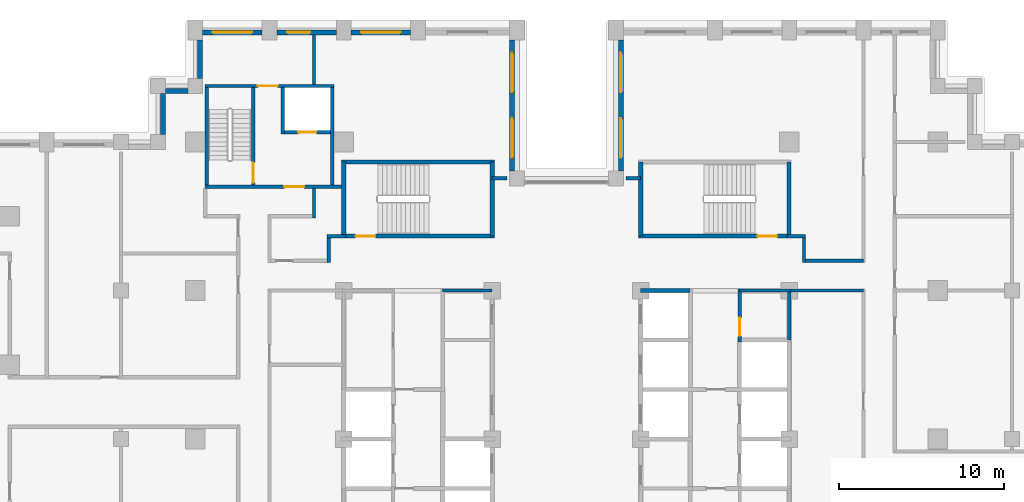
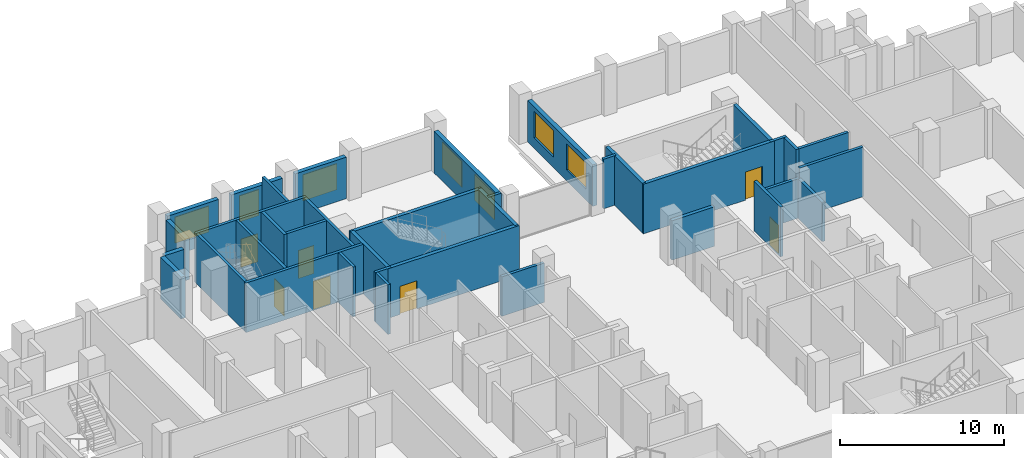
# One storey, part 10 of 15: 37 walls, 7 doors, 7 windows, 14 openings.
"""IFC4 building model written with IfcOpenShell, lengths in metres."""

from ifc_helpers import new_model, si_unit, direction, frame, frame_2d, origin, place, context, subcontext, project, spatial, rectangle, extrude, material, layer, layer_set, type_object, element, fill, save


model = new_model("IFC4")

# Units and contexts
model_context = context("Model", 3, precision=1e-05, world=origin(), true_north=direction((0.0, 1.0)))
body_context = subcontext(model_context, "Body", "Model", "MODEL_VIEW")
ifc_project = project(units=[si_unit("LENGTHUNIT", "METRE"), si_unit("AREAUNIT", "SQUARE_METRE"), si_unit("VOLUMEUNIT", "CUBIC_METRE"), si_unit("PLANEANGLEUNIT", "RADIAN"), si_unit("MASSUNIT", "GRAM", prefix="KILO")], contexts=[model_context])

# Site, building, storey
site_placement = place(None, origin())
site = spatial("IfcSite", under=ifc_project, at=site_placement, CompositionType="ELEMENT")
building_placement = place(site_placement, origin())
building = spatial("IfcBuilding", under=site, at=building_placement, Name="Corbelhall Arena Tower", CompositionType="ELEMENT")
storey_placement = place(building_placement, frame((0.0, 0.0, 96.0)))
storey = spatial("IfcBuildingStorey", under=building, at=storey_placement, Name="L16", CompositionType="ELEMENT", Elevation=96.0)

# Walls
ifc_material_1 = material(Name="Precast concrete C40/50 with granite facing", Category="masonry")
ifc_layer_1 = layer(ifc_material_1, 0.300048828125)
ifc_layer_set_1 = layer_set([ifc_layer_1], Name="EV-IW1 Infill panel 300")
wall_type_1 = type_object("IfcWallType", Name="EV-IW1 Infill panel 300", PredefinedType="SOLIDWALL", material=ifc_layer_set_1)
wall_1_placement = place(storey_placement, frame((-22.199951171875, 24.199951171875, 0.0), z_axis=(0.0, 0.0, 1.0), x_axis=(0.0, -1.0, 0.0)))
element("IfcWall", 1, at=wall_1_placement, inside=storey, type_object=wall_type_1, Name="Infill panel IW1", PredefinedType="SOLIDWALL", context=body_context, shape_type="SweptSolid", body=[
    extrude(rectangle(XDim=2.349853515625, YDim=0.300048828125, at=frame_2d((1.1748046875, 0.0))), origin(), (0.0, 0.0, 1.0), 3.10009765625),
])
wall_2_placement = place(storey_placement, frame((-22.949951171875, 21.10009765625, 0.0), z_axis=(0.0, 0.0, 1.0), x_axis=(-1.0, 0.0, 0.0)))
element("IfcWall", 2, at=wall_2_placement, inside=storey, type_object=wall_type_1, Name="Infill panel IW1", PredefinedType="SOLIDWALL", context=body_context, shape_type="SweptSolid", body=[
    extrude(rectangle(XDim=1.35009765625, YDim=0.300048828125, at=frame_2d((0.675048828125, 0.0))), origin(), (0.0, 0.0, 1.0), 3.10009765625),
])
wall_3_placement = place(storey_placement, frame((-24.449951171875, 20.949951171875, 0.0), z_axis=(0.0, 0.0, 1.0), x_axis=(0.0, -1.0, 0.0)))
element("IfcWall", 3, at=wall_3_placement, inside=storey, type_object=wall_type_1, Name="Infill panel IW1", PredefinedType="SOLIDWALL", context=body_context, shape_type="SweptSolid", body=[
    extrude(rectangle(XDim=2.5, YDim=0.300048828125, at=frame_2d((1.25, 0.0))), origin(), (0.0, 0.0, 1.0), 3.10009765625),
])

# Wall, openings, windows
wall_4_placement = place(storey_placement, frame((3.300048828125, 24.199951171875, 0.0), z_axis=(0.0, 0.0, 1.0), x_axis=(0.0, -1.0, 0.0)))
wall_4 = element("IfcWall", 4, at=wall_4_placement, inside=storey, type_object=wall_type_1, Name="Infill panel IW1", PredefinedType="SOLIDWALL", context=body_context, shape_type="SweptSolid", body=[
    extrude(rectangle(XDim=7.949951171875, YDim=0.300048828125, at=frame_2d((3.97509765625, 0.0))), origin(), (0.0, 0.0, 1.0), 3.10009765625),
])
opening_1_placement = place(wall_4_placement, frame((0.78759765625, 0.0, 0.800048828125)))
opening_1 = element("IfcOpeningElement", 5, at=opening_1_placement, cuts=wall_4, Name="Opening WN1", PredefinedType="OPENING", context=body_context, shape_type="SweptSolid", body=[
    extrude(rectangle(XDim=2.39990234375, YDim=1.949951171875, at=frame_2d((1.199951171875, 0.97509765625))), frame((0.0, 0.14990234375, 0.0), z_axis=(0.0, -1.0, 0.0), x_axis=(1.0, 0.0, 0.0)), (0.0, 0.0, 1.0), 0.300048828125),
])
opening_2_placement = place(wall_4_placement, frame((4.762451171875, 0.0, 0.800048828125)))
opening_2 = element("IfcOpeningElement", 6, at=opening_2_placement, cuts=wall_4, Name="Opening WN1", PredefinedType="OPENING", context=body_context, shape_type="SweptSolid", body=[
    extrude(rectangle(XDim=2.39990234375, YDim=1.949951171875, at=frame_2d((1.199951171875, 0.97509765625))), frame((0.0, 0.14990234375, 0.0), z_axis=(0.0, -1.0, 0.0), x_axis=(1.0, 0.0, 0.0)), (0.0, 0.0, 1.0), 0.300048828125),
])
ifc_material_2 = material(Name="Aluminium black anodised", Category="aluminium")
window_type_1 = type_object("IfcWindowType", Name="EV-WN1 Office window", PartitioningType="SINGLE_PANEL", PredefinedType="WINDOW", material=ifc_material_2)
window_1_placement = place(opening_1_placement, origin())
window_1 = element("IfcWindow", 7, at=window_1_placement, inside=storey, type_object=window_type_1, Name="Window WN1", OverallHeight=1.949951171875, OverallWidth=2.39990234375, PartitioningType="SINGLE_PANEL", PredefinedType="WINDOW", context=body_context, shape_type="SweptSolid", body=[
    extrude(rectangle(XDim=2.39990234375, YDim=1.949951171875, at=frame_2d((1.199951171875, 0.97509765625))), frame((0.0, 0.030029296875, 0.0), z_axis=(0.0, -1.0, 0.0), x_axis=(1.0, 0.0, 0.0)), (0.0, 0.0, 1.0), 0.06005859375),
])
fill(opening_1, window_1)
window_2_placement = place(opening_2_placement, origin())
window_2 = element("IfcWindow", 8, at=window_2_placement, inside=storey, type_object=window_type_1, Name="Window WN1", OverallHeight=1.949951171875, OverallWidth=2.39990234375, PartitioningType="SINGLE_PANEL", PredefinedType="WINDOW", context=body_context, shape_type="SweptSolid", body=[
    extrude(rectangle(XDim=2.39990234375, YDim=1.949951171875, at=frame_2d((1.199951171875, 0.97509765625))), frame((0.0, 0.030029296875, 0.0), z_axis=(0.0, -1.0, 0.0), x_axis=(1.0, 0.0, 0.0)), (0.0, 0.0, 1.0), 0.06005859375),
])
fill(opening_2, window_2)

wall_5_placement = place(storey_placement, frame((-3.300048828125, 16.25, 0.0), z_axis=(0.0, 0.0, 1.0), x_axis=(0.0, 1.0, 0.0)))
wall_5 = element("IfcWall", 9, at=wall_5_placement, inside=storey, type_object=wall_type_1, Name="Infill panel IW1", PredefinedType="SOLIDWALL", context=body_context, shape_type="SweptSolid", body=[
    extrude(rectangle(XDim=7.949951171875, YDim=0.300048828125, at=frame_2d((3.97509765625, 0.0))), origin(), (0.0, 0.0, 1.0), 3.10009765625),
])
opening_3_placement = place(wall_5_placement, frame((0.78759765625, 0.0, 0.800048828125)))
opening_3 = element("IfcOpeningElement", 10, at=opening_3_placement, cuts=wall_5, Name="Opening WN1", PredefinedType="OPENING", context=body_context, shape_type="SweptSolid", body=[
    extrude(rectangle(XDim=2.39990234375, YDim=1.949951171875, at=frame_2d((1.199951171875, 0.97509765625))), frame((0.0, 0.14990234375, 0.0), z_axis=(0.0, -1.0, 0.0), x_axis=(1.0, 0.0, 0.0)), (0.0, 0.0, 1.0), 0.300048828125),
])
opening_4_placement = place(wall_5_placement, frame((4.762451171875, 0.0, 0.800048828125)))
opening_4 = element("IfcOpeningElement", 11, at=opening_4_placement, cuts=wall_5, Name="Opening WN1", PredefinedType="OPENING", context=body_context, shape_type="SweptSolid", body=[
    extrude(rectangle(XDim=2.39990234375, YDim=1.949951171875, at=frame_2d((1.199951171875, 0.97509765625))), frame((0.0, 0.14990234375, 0.0), z_axis=(0.0, -1.0, 0.0), x_axis=(1.0, 0.0, 0.0)), (0.0, 0.0, 1.0), 0.300048828125),
])
window_3_placement = place(opening_3_placement, origin())
window_3 = element("IfcWindow", 12, at=window_3_placement, inside=storey, type_object=window_type_1, Name="Window WN1", OverallHeight=1.949951171875, OverallWidth=2.39990234375, PartitioningType="SINGLE_PANEL", PredefinedType="WINDOW", context=body_context, shape_type="SweptSolid", body=[
    extrude(rectangle(XDim=2.39990234375, YDim=1.949951171875, at=frame_2d((1.199951171875, 0.97509765625))), frame((0.0, 0.030029296875, 0.0), z_axis=(0.0, -1.0, 0.0), x_axis=(1.0, 0.0, 0.0)), (0.0, 0.0, 1.0), 0.06005859375),
])
fill(opening_3, window_3)
window_4_placement = place(opening_4_placement, origin())
window_4 = element("IfcWindow", 13, at=window_4_placement, inside=storey, type_object=window_type_1, Name="Window WN1", OverallHeight=1.949951171875, OverallWidth=2.39990234375, PartitioningType="SINGLE_PANEL", PredefinedType="WINDOW", context=body_context, shape_type="SweptSolid", body=[
    extrude(rectangle(XDim=2.39990234375, YDim=1.949951171875, at=frame_2d((1.199951171875, 0.97509765625))), frame((0.0, 0.030029296875, 0.0), z_axis=(0.0, -1.0, 0.0), x_axis=(1.0, 0.0, 0.0)), (0.0, 0.0, 1.0), 0.06005859375),
])
fill(opening_4, window_4)

# Wall, opening, window
wall_6_placement = place(storey_placement, frame((-9.449951171875, 24.64990234375, 0.0), z_axis=(0.0, 0.0, 1.0), x_axis=(-1.0, 0.0, 0.0)))
wall_6 = element("IfcWall", 14, at=wall_6_placement, inside=storey, type_object=wall_type_1, Name="Infill panel IW1", PredefinedType="SOLIDWALL", context=body_context, shape_type="SweptSolid", body=[
    extrude(rectangle(XDim=3.60009765625, YDim=0.300048828125, at=frame_2d((1.800048828125, 0.0))), origin(), (0.0, 0.0, 1.0), 3.10009765625),
])
opening_5_placement = place(wall_6_placement, frame((0.60009765625, 0.0, 0.800048828125)))
opening_5 = element("IfcOpeningElement", 15, at=opening_5_placement, cuts=wall_6, Name="Opening WN1", PredefinedType="OPENING", context=body_context, shape_type="SweptSolid", body=[
    extrude(rectangle(XDim=2.39990234375, YDim=1.949951171875, at=frame_2d((1.199951171875, 0.97509765625))), frame((0.0, 0.14990234375, 0.0), z_axis=(0.0, -1.0, 0.0), x_axis=(1.0, 0.0, 0.0)), (0.0, 0.0, 1.0), 0.300048828125),
])
window_5_placement = place(opening_5_placement, origin())
window_5 = element("IfcWindow", 16, at=window_5_placement, inside=storey, type_object=window_type_1, Name="Window WN1", OverallHeight=1.949951171875, OverallWidth=2.39990234375, PartitioningType="SINGLE_PANEL", PredefinedType="WINDOW", context=body_context, shape_type="SweptSolid", body=[
    extrude(rectangle(XDim=2.39990234375, YDim=1.949951171875, at=frame_2d((1.199951171875, 0.97509765625))), frame((0.0, 0.030029296875, 0.0), z_axis=(0.0, -1.0, 0.0), x_axis=(1.0, 0.0, 0.0)), (0.0, 0.0, 1.0), 0.06005859375),
])
fill(opening_5, window_5)

wall_7_placement = place(storey_placement, frame((-13.949951171875, 24.64990234375, 0.0), z_axis=(0.0, 0.0, 1.0), x_axis=(-1.0, 0.0, 0.0)))
wall_7 = element("IfcWall", 17, at=wall_7_placement, inside=storey, type_object=wall_type_1, Name="Infill panel IW1", PredefinedType="SOLIDWALL", context=body_context, shape_type="SweptSolid", body=[
    extrude(rectangle(XDim=3.60009765625, YDim=0.300048828125, at=frame_2d((1.800048828125, 0.0))), origin(), (0.0, 0.0, 1.0), 3.10009765625),
])
opening_6_placement = place(wall_7_placement, frame((1.574951171875, 0.0, 0.800048828125)))
opening_6 = element("IfcOpeningElement", 18, at=opening_6_placement, cuts=wall_7, Name="Opening WN7", PredefinedType="OPENING", context=body_context, shape_type="SweptSolid", body=[
    extrude(rectangle(XDim=1.39990234375, YDim=1.949951171875, at=frame_2d((0.699951171875, 0.97509765625))), frame((0.0, 0.14990234375, 0.0), z_axis=(0.0, -1.0, 0.0), x_axis=(1.0, 0.0, 0.0)), (0.0, 0.0, 1.0), 0.300048828125),
])
window_type_2 = type_object("IfcWindowType", Name="EV-WN7 Office window 1400", PartitioningType="SINGLE_PANEL", PredefinedType="WINDOW", material=ifc_material_2)
window_6_placement = place(opening_6_placement, origin())
window_6 = element("IfcWindow", 19, at=window_6_placement, inside=storey, type_object=window_type_2, Name="Window WN7", OverallHeight=1.949951171875, OverallWidth=1.39990234375, PartitioningType="SINGLE_PANEL", PredefinedType="WINDOW", context=body_context, shape_type="SweptSolid", body=[
    extrude(rectangle(XDim=1.39990234375, YDim=1.949951171875, at=frame_2d((0.699951171875, 0.97509765625))), frame((0.0, 0.030029296875, 0.0), z_axis=(0.0, -1.0, 0.0), x_axis=(1.0, 0.0, 0.0)), (0.0, 0.0, 1.0), 0.06005859375),
])
fill(opening_6, window_6)

wall_8_placement = place(storey_placement, frame((-18.449951171875, 24.64990234375, 0.0), z_axis=(0.0, 0.0, 1.0), x_axis=(-1.0, 0.0, 0.0)))
wall_8 = element("IfcWall", 20, at=wall_8_placement, inside=storey, type_object=wall_type_1, Name="Infill panel IW1", PredefinedType="SOLIDWALL", context=body_context, shape_type="SweptSolid", body=[
    extrude(rectangle(XDim=3.60009765625, YDim=0.300048828125, at=frame_2d((1.800048828125, 0.0))), origin(), (0.0, 0.0, 1.0), 3.10009765625),
])
opening_7_placement = place(wall_8_placement, frame((0.60009765625, 0.0, 0.800048828125)))
opening_7 = element("IfcOpeningElement", 21, at=opening_7_placement, cuts=wall_8, Name="Opening WN1", PredefinedType="OPENING", context=body_context, shape_type="SweptSolid", body=[
    extrude(rectangle(XDim=2.39990234375, YDim=1.949951171875, at=frame_2d((1.199951171875, 0.97509765625))), frame((0.0, 0.14990234375, 0.0), z_axis=(0.0, -1.0, 0.0), x_axis=(1.0, 0.0, 0.0)), (0.0, 0.0, 1.0), 0.300048828125),
])
window_7_placement = place(opening_7_placement, origin())
window_7 = element("IfcWindow", 22, at=window_7_placement, inside=storey, type_object=window_type_1, Name="Window WN1", OverallHeight=1.949951171875, OverallWidth=2.39990234375, PartitioningType="SINGLE_PANEL", PredefinedType="WINDOW", context=body_context, shape_type="SweptSolid", body=[
    extrude(rectangle(XDim=2.39990234375, YDim=1.949951171875, at=frame_2d((1.199951171875, 0.97509765625))), frame((0.0, 0.030029296875, 0.0), z_axis=(0.0, -1.0, 0.0), x_axis=(1.0, 0.0, 0.0)), (0.0, 0.0, 1.0), 0.06005859375),
])
fill(opening_7, window_7)

# Walls
ifc_material_3 = material(Name="Gypsum board on steel stud, acoustic", Category="steel")
ifc_layer_2 = layer(ifc_material_3, 0.199951171875)
ifc_layer_set_2 = layer_set([ifc_layer_2], Name="IN-W-DM200")
wall_type_2 = type_object("IfcWallType", Name="IN-W-DM200", PredefinedType="PARTITIONING", material=ifc_layer_set_2)
wall_9_placement = place(storey_placement, frame((-15.300048828125, 15.199951171875, 0.0), z_axis=(0.0, 0.0, 1.0), x_axis=(0.0, -1.0, 0.0)))
element("IfcWall", 23, at=wall_9_placement, inside=storey, type_object=wall_type_2, Name="Partition 024", PredefinedType="PARTITIONING", context=body_context, shape_type="SweptSolid", body=[
    extrude(rectangle(XDim=1.800048828125, YDim=0.199951171875, at=frame_2d((0.89990234375, 0.0))), origin(), (0.0, 0.0, 1.0), 3.699951171875),
])
wall_10_placement = place(storey_placement, frame((-15.300048828125, 24.5, 0.0), z_axis=(0.0, 0.0, 1.0), x_axis=(0.0, -1.0, 0.0)))
element("IfcWall", 24, at=wall_10_placement, inside=storey, type_object=wall_type_2, Name="Partition 025", PredefinedType="PARTITIONING", context=body_context, shape_type="SweptSolid", body=[
    extrude(rectangle(XDim=3.0, YDim=0.199951171875, at=frame_2d((1.5, 0.0))), origin(), (0.0, 0.0, 1.0), 3.699951171875),
])
wall_11_placement = place(storey_placement, frame((-14.5, 12.300048828125, 0.0), z_axis=(0.0, 0.0, 1.0), x_axis=(1.0, 0.0, 0.0)))
element("IfcWall", 25, at=wall_11_placement, inside=storey, type_object=wall_type_2, Name="Partition 026", PredefinedType="PARTITIONING", context=body_context, shape_type="SweptSolid", body=[
    extrude(rectangle(XDim=1.125, YDim=0.199951171875, at=frame_2d((0.5625, 0.0))), origin(), (0.0, 0.0, 1.0), 3.699951171875),
])
wall_12_placement = place(storey_placement, frame((-14.39990234375, 10.699951171875, 0.0), z_axis=(0.0, 0.0, 1.0), x_axis=(0.0, 1.0, 0.0)))
element("IfcWall", 26, at=wall_12_placement, inside=storey, type_object=wall_type_2, Name="Partition 030", PredefinedType="PARTITIONING", context=body_context, shape_type="SweptSolid", body=[
    extrude(rectangle(XDim=1.60009765625, YDim=0.199951171875, at=frame_2d((0.800048828125, 0.0))), origin(), (0.0, 0.0, 1.0), 3.699951171875),
])
for number, where, z_axis, x_axis, name in (
    (27, (-4.5, 15.800048828125, 0.0), (0.0, 0.0, 1.0), (1.0, 0.0, 0.0), "Partition 032"),
    (28, (3.60009765625, 15.800048828125, 0.0), (0.0, 0.0, 1.0), (1.0, 0.0, 0.0), "Partition 034"),
):
    element("IfcWall", number, at=place(storey_placement, frame(where, z_axis=z_axis, x_axis=x_axis)), inside=storey, type_object=wall_type_2, Name=name, PredefinedType="PARTITIONING", context=body_context, shape_type="SweptSolid", body=[
        extrude(rectangle(XDim=0.89990234375, YDim=0.199951171875, at=frame_2d((0.449951171875, 0.0))), origin(), (0.0, 0.0, 1.0), 3.699951171875),
    ])
wall_13_placement = place(storey_placement, frame((13.375, 12.300048828125, 0.0), z_axis=(0.0, 0.0, 1.0), x_axis=(1.0, 0.0, 0.0)))
element("IfcWall", 29, at=wall_13_placement, inside=storey, type_object=wall_type_2, Name="Partition 036", PredefinedType="PARTITIONING", context=body_context, shape_type="SweptSolid", body=[
    extrude(rectangle(XDim=1.125, YDim=0.199951171875, at=frame_2d((0.5625, 0.0))), origin(), (0.0, 0.0, 1.0), 3.699951171875),
])
wall_14_placement = place(storey_placement, frame((18.0, 9.0, 0.0), z_axis=(0.0, 0.0, 1.0), x_axis=(-1.0, 0.0, 0.0)))
element("IfcWall", 30, at=wall_14_placement, inside=storey, type_object=wall_type_2, Name="Partition 041", PredefinedType="PARTITIONING", context=body_context, shape_type="SweptSolid", body=[
    extrude(rectangle(XDim=4.5, YDim=0.199951171875, at=frame_2d((2.25, 0.0))), origin(), (0.0, 0.0, 1.0), 3.699951171875),
])
wall_15_placement = place(storey_placement, frame((14.39990234375, 10.800048828125, 0.0), z_axis=(0.0, 0.0, 1.0), x_axis=(1.0, 0.0, 0.0)))
element("IfcWall", 31, at=wall_15_placement, inside=storey, type_object=wall_type_2, Name="Partition 042", PredefinedType="PARTITIONING", context=body_context, shape_type="SweptSolid", body=[
    extrude(rectangle(XDim=3.60009765625, YDim=0.199951171875, at=frame_2d((1.800048828125, 0.0))), origin(), (0.0, 0.0, 1.0), 3.699951171875),
])
wall_16_placement = place(storey_placement, frame((14.39990234375, 12.300048828125, 0.0), z_axis=(0.0, 0.0, 1.0), x_axis=(0.0, -1.0, 0.0)))
element("IfcWall", 32, at=wall_16_placement, inside=storey, type_object=wall_type_2, Name="Partition 043", PredefinedType="PARTITIONING", context=body_context, shape_type="SweptSolid", body=[
    extrude(rectangle(XDim=1.60009765625, YDim=0.199951171875, at=frame_2d((0.800048828125, 0.0))), origin(), (0.0, 0.0, 1.0), 3.699951171875),
])

# Wall, opening, door
ifc_material_4 = material(Name="Concrete C40/50", Category="concrete")
ifc_layer_3 = layer(ifc_material_4, 0.199951171875)
ifc_layer_set_3 = layer_set([ifc_layer_3], Name="IN-W-EAR200")
wall_type_3 = type_object("IfcWallType", Name="IN-W-EAR200", PredefinedType="SOLIDWALL", material=ifc_layer_set_3)
wall_17_placement = place(storey_placement, frame((-21.89990234375, 15.300048828125, 0.0), z_axis=(0.0, 0.0, 1.0), x_axis=(1.0, 0.0, 0.0)))
wall_17 = element("IfcWall", 33, at=wall_17_placement, inside=storey, type_object=wall_type_3, Name="Fire service turret wall south", PredefinedType="SOLIDWALL", context=body_context, shape_type="SweptSolid", body=[
    extrude(rectangle(XDim=8.27490234375, YDim=0.199951171875, at=frame_2d((4.137451171875, 0.0))), origin(), (0.0, 0.0, 1.0), 3.699951171875),
])
opening_8_placement = place(wall_17_placement, frame((4.800048828125, 0.0, 0.0)))
opening_8 = element("IfcOpeningElement", 34, at=opening_8_placement, cuts=wall_17, Name="Opening E032", PredefinedType="OPENING", context=body_context, shape_type="SweptSolid", body=[
    extrude(rectangle(XDim=1.199951171875, YDim=2.10009765625, at=frame_2d((0.60009765625, 1.050048828125))), frame((0.0, 0.10009765625, 0.0), z_axis=(0.0, -1.0, 0.0), x_axis=(1.0, 0.0, 0.0)), (0.0, 0.0, 1.0), 0.199951171875),
])
ifc_material_5 = material(Name="Steel door set", Category="steel")
door_type_1 = type_object("IfcDoorType", Name="IN-D-ST120", OperationType="NOTDEFINED", PredefinedType="DOOR", material=ifc_material_5)
door_1_placement = place(opening_8_placement, origin())
door_1 = element("IfcDoor", 35, at=door_1_placement, inside=storey, type_object=door_type_1, Name="Door from fire service lift lobby to circulation", OperationType="SINGLE_SWING_RIGHT", OverallHeight=2.10009765625, OverallWidth=1.199951171875, PredefinedType="DOOR", context=body_context, shape_type="SweptSolid", body=[
    extrude(rectangle(XDim=1.199951171875, YDim=2.10009765625, at=frame_2d((0.60009765625, 1.050048828125))), frame((0.0, 0.02490234375, 0.0), z_axis=(0.0, -1.0, 0.0), x_axis=(1.0, 0.0, 0.0)), (0.0, 0.0, 1.0), 0.050048828125),
])
fill(opening_8, door_1)

wall_18_placement = place(storey_placement, frame((-21.89990234375, 21.39990234375, 0.0), z_axis=(0.0, 0.0, 1.0), x_axis=(1.0, 0.0, 0.0)))
wall_18 = element("IfcWall", 36, at=wall_18_placement, inside=storey, type_object=wall_type_3, Name="Fire service turret wall north", PredefinedType="SOLIDWALL", context=body_context, shape_type="SweptSolid", body=[
    extrude(rectangle(XDim=7.7998046875, YDim=0.199951171875, at=frame_2d((3.89990234375, 0.0))), origin(), (0.0, 0.0, 1.0), 3.699951171875),
])
opening_9_placement = place(wall_18_placement, frame((3.199951171875, 0.0, 0.0)))
opening_9 = element("IfcOpeningElement", 37, at=opening_9_placement, cuts=wall_18, Name="Opening E033", PredefinedType="OPENING", context=body_context, shape_type="SweptSolid", body=[
    extrude(rectangle(XDim=1.199951171875, YDim=2.10009765625, at=frame_2d((0.60009765625, 1.050048828125))), frame((0.0, 0.10009765625, 0.0), z_axis=(0.0, -1.0, 0.0), x_axis=(1.0, 0.0, 0.0)), (0.0, 0.0, 1.0), 0.199951171875),
])
door_2_placement = place(opening_9_placement, origin())
door_2 = element("IfcDoor", 38, at=door_2_placement, inside=storey, type_object=door_type_1, Name="Door from fire service lift lobby to the north gallery", OperationType="SINGLE_SWING_LEFT", OverallHeight=2.10009765625, OverallWidth=1.199951171875, PredefinedType="DOOR", context=body_context, shape_type="SweptSolid", body=[
    extrude(rectangle(XDim=1.199951171875, YDim=2.10009765625, at=frame_2d((0.60009765625, 1.050048828125))), frame((0.0, 0.02490234375, 0.0), z_axis=(0.0, -1.0, 0.0), x_axis=(1.0, 0.0, 0.0)), (0.0, 0.0, 1.0), 0.050048828125),
])
fill(opening_9, door_2)

# Walls
for number, where, z_axis, x_axis, name in (
    (39, (-21.800048828125, 15.39990234375, 0.0), (0.0, 0.0, 1.0), (0.0, 1.0, 0.0), "Fire service turret wall west"),
    (40, (-14.199951171875, 15.39990234375, 0.0), (0.0, 0.0, 1.0), (0.0, 1.0, 0.0), "Fire service turret wall east"),
):
    element("IfcWall", number, at=place(storey_placement, frame(where, z_axis=z_axis, x_axis=x_axis)), inside=storey, type_object=wall_type_3, Name=name, PredefinedType="SOLIDWALL", context=body_context, shape_type="SweptSolid", body=[
        extrude(rectangle(XDim=5.900146484375, YDim=0.199951171875, at=frame_2d((2.9501953125, 0.0))), origin(), (0.0, 0.0, 1.0), 3.699951171875),
    ])

# Wall, opening, door
wall_19_placement = place(storey_placement, frame((-18.989990234375, 15.39990234375, 0.0), z_axis=(0.0, 0.0, 1.0), x_axis=(0.0, 1.0, 0.0)))
wall_19 = element("IfcWall", 41, at=wall_19_placement, inside=storey, type_object=wall_type_3, Name="Fire service turret wall stair", PredefinedType="SOLIDWALL", context=body_context, shape_type="SweptSolid", body=[
    extrude(rectangle(XDim=5.900146484375, YDim=0.199951171875, at=frame_2d((2.9501953125, 0.0))), origin(), (0.0, 0.0, 1.0), 3.699951171875),
])
opening_10_placement = place(wall_19_placement, frame((0.14990234375, 0.0, 0.0)))
opening_10 = element("IfcOpeningElement", 42, at=opening_10_placement, cuts=wall_19, Name="Opening E031", PredefinedType="OPENING", context=body_context, shape_type="SweptSolid", body=[
    extrude(rectangle(XDim=1.199951171875, YDim=2.10009765625, at=frame_2d((0.60009765625, 1.050048828125))), frame((0.0, 0.10009765625, 0.0), z_axis=(0.0, -1.0, 0.0), x_axis=(1.0, 0.0, 0.0)), (0.0, 0.0, 1.0), 0.199951171875),
])
door_3_placement = place(opening_10_placement, origin())
door_3 = element("IfcDoor", 43, at=door_3_placement, inside=storey, type_object=door_type_1, Name="Stair door to fire service lobby", OperationType="SINGLE_SWING_LEFT", OverallHeight=2.10009765625, OverallWidth=1.199951171875, PredefinedType="DOOR", context=body_context, shape_type="SweptSolid", body=[
    extrude(rectangle(XDim=1.199951171875, YDim=2.10009765625, at=frame_2d((0.60009765625, 1.050048828125))), frame((0.0, 0.02490234375, 0.0), z_axis=(0.0, -1.0, 0.0), x_axis=(1.0, 0.0, 0.0)), (0.0, 0.0, 1.0), 0.050048828125),
])
fill(opening_10, door_3)

# Wall
wall_20_placement = place(storey_placement, frame((-17.199951171875, 18.5, 0.0), z_axis=(0.0, 0.0, 1.0), x_axis=(0.0, 1.0, 0.0)))
element("IfcWall", 44, at=wall_20_placement, inside=storey, type_object=wall_type_3, Name="Fire service turret wall hoistway west", PredefinedType="SOLIDWALL", context=body_context, shape_type="SweptSolid", body=[
    extrude(rectangle(XDim=2.800048828125, YDim=0.199951171875, at=frame_2d((1.39990234375, 0.0))), origin(), (0.0, 0.0, 1.0), 3.699951171875),
])

# Wall, opening, door
wall_21_placement = place(storey_placement, frame((-17.10009765625, 18.60009765625, 0.0), z_axis=(0.0, 0.0, 1.0), x_axis=(1.0, 0.0, 0.0)))
wall_21 = element("IfcWall", 45, at=wall_21_placement, inside=storey, type_object=wall_type_3, Name="Fire service turret wall hoistway south", PredefinedType="SOLIDWALL", context=body_context, shape_type="SweptSolid", body=[
    extrude(rectangle(XDim=2.800048828125, YDim=0.199951171875, at=frame_2d((1.39990234375, 0.0))), origin(), (0.0, 0.0, 1.0), 3.699951171875),
])
opening_11_placement = place(wall_21_placement, frame((0.85009765625, 0.0, 0.0)))
opening_11 = element("IfcOpeningElement", 46, at=opening_11_placement, cuts=wall_21, Name="Opening LD", PredefinedType="OPENING", context=body_context, shape_type="SweptSolid", body=[
    extrude(rectangle(XDim=1.10009765625, YDim=2.10009765625, at=frame_2d((0.550048828125, 1.050048828125))), frame((0.0, 0.10009765625, 0.0), z_axis=(0.0, -1.0, 0.0), x_axis=(1.0, 0.0, 0.0)), (0.0, 0.0, 1.0), 0.199951171875),
])
door_type_2 = type_object("IfcDoorType", Name="IN-D-LD110", OperationType="NOTDEFINED", PredefinedType="DOOR", material=ifc_material_5)
door_4_placement = place(opening_11_placement, origin())
door_4 = element("IfcDoor", 47, at=door_4_placement, inside=storey, type_object=door_type_2, Name="Landing door FS1", OperationType="SLIDING_TO_LEFT", OverallHeight=2.10009765625, OverallWidth=1.10009765625, PredefinedType="DOOR", context=body_context, shape_type="SweptSolid", body=[
    extrude(rectangle(XDim=1.10009765625, YDim=2.10009765625, at=frame_2d((0.550048828125, 1.050048828125))), frame((0.0, 0.02490234375, 0.0), z_axis=(0.0, -1.0, 0.0), x_axis=(1.0, 0.0, 0.0)), (0.0, 0.0, 1.0), 0.050048828125),
])
fill(opening_11, door_4)

ifc_material_6 = material(Name="Concrete block wall", Category="concrete")
ifc_layer_4 = layer(ifc_material_6, 0.199951171875)
ifc_layer_set_4 = layer_set([ifc_layer_4], Name="IN-W-RS200")
wall_type_4 = type_object("IfcWallType", Name="IN-W-RS200", PredefinedType="SOLIDWALL", material=ifc_layer_set_4)
wall_22_placement = place(storey_placement, frame((10.5, 9.10009765625, 0.0), z_axis=(0.0, 0.0, 1.0), x_axis=(0.0, -1.0, 0.0)))
wall_22 = element("IfcWall", 48, at=wall_22_placement, inside=storey, type_object=wall_type_4, Name="Partition 072", PredefinedType="SOLIDWALL", context=body_context, shape_type="SweptSolid", body=[
    extrude(rectangle(XDim=3.22509765625, YDim=0.199951171875, at=frame_2d((1.612548828125, 0.0))), origin(), (0.0, 0.0, 1.0), 3.699951171875),
])
opening_12_placement = place(wall_22_placement, frame((1.75, 0.0, 0.0)))
opening_12 = element("IfcOpeningElement", 49, at=opening_12_placement, cuts=wall_22, Name="Opening 03012", PredefinedType="OPENING", context=body_context, shape_type="SweptSolid", body=[
    extrude(rectangle(XDim=1.10009765625, YDim=2.10009765625, at=frame_2d((0.550048828125, 1.050048828125))), frame((0.0, 0.10009765625, 0.0), z_axis=(0.0, -1.0, 0.0), x_axis=(1.0, 0.0, 0.0)), (0.0, 0.0, 1.0), 0.199951171875),
])
door_type_3 = type_object("IfcDoorType", Name="IN-D-FD110", OperationType="NOTDEFINED", PredefinedType="DOOR", material=ifc_material_5)
door_5_placement = place(opening_12_placement, origin())
door_5 = element("IfcDoor", 50, at=door_5_placement, inside=storey, type_object=door_type_3, Name="Door 012", OperationType="SINGLE_SWING_LEFT", OverallHeight=2.10009765625, OverallWidth=1.10009765625, PredefinedType="DOOR", context=body_context, shape_type="SweptSolid", body=[
    extrude(rectangle(XDim=1.10009765625, YDim=2.10009765625, at=frame_2d((0.550048828125, 1.050048828125))), frame((0.0, 0.02490234375, 0.0), z_axis=(0.0, -1.0, 0.0), x_axis=(1.0, 0.0, 0.0)), (0.0, 0.0, 1.0), 0.050048828125),
])
fill(opening_12, door_5)

# Walls
ifc_layer_5 = layer(ifc_material_6, 0.199951171875)
ifc_layer_set_5 = layer_set([ifc_layer_5], Name="IN-W-RS200 under beam 762 mm")
wall_type_5 = type_object("IfcWallType", Name="IN-W-RS200 under beam 762 mm", PredefinedType="SOLIDWALL", material=ifc_layer_set_5)
wall_23_placement = place(storey_placement, frame((-7.5, 9.0, 0.0), z_axis=(0.0, 0.0, 1.0), x_axis=(1.0, 0.0, 0.0)))
element("IfcWall", 51, at=wall_23_placement, inside=storey, type_object=wall_type_5, Name="Partition 065", PredefinedType="SOLIDWALL", context=body_context, shape_type="SweptSolid", body=[
    extrude(rectangle(XDim=3.0, YDim=0.199951171875, at=frame_2d((1.5, 0.0))), origin(), (0.0, 0.0, 1.0), 2.93798828125),
])
for number, where, z_axis, x_axis, name in (
    (52, (10.5, 9.0, 0.0), (0.0, 0.0, 1.0), (1.0, 0.0, 0.0), "Partition 071"),
    (53, (13.5, 9.10009765625, 0.0), (0.0, 0.0, 1.0), (0.0, -1.0, 0.0), "Partition 073"),
):
    element("IfcWall", number, at=place(storey_placement, frame(where, z_axis=z_axis, x_axis=x_axis)), inside=storey, type_object=wall_type_5, Name=name, PredefinedType="SOLIDWALL", context=body_context, shape_type="SweptSolid", body=[
        extrude(rectangle(XDim=3.10009765625, YDim=0.199951171875, at=frame_2d((1.550048828125, 0.0))), origin(), (0.0, 0.0, 1.0), 2.93798828125),
    ])
ifc_layer_6 = layer(ifc_material_4, 0.25)
ifc_layer_set_6 = layer_set([ifc_layer_6], Name="IN-W-SH250 under beam 762 mm")
wall_type_6 = type_object("IfcWallType", Name="IN-W-SH250 under beam 762 mm", PredefinedType="SOLIDWALL", material=ifc_layer_set_6)
wall_24_placement = place(storey_placement, frame((4.5, 9.0, 0.0), z_axis=(0.0, 0.0, 1.0), x_axis=(1.0, 0.0, 0.0)))
element("IfcWall", 54, at=wall_24_placement, inside=storey, type_object=wall_type_6, Name="Shaft wall 088", PredefinedType="SOLIDWALL", context=body_context, shape_type="SweptSolid", body=[
    extrude(rectangle(XDim=3.0, YDim=0.25, at=frame_2d((1.5, 0.0))), origin(), (0.0, 0.0, 1.0), 2.93798828125),
])

# Wall, opening, door
ifc_layer_7 = layer(ifc_material_4, 0.25)
ifc_layer_set_7 = layer_set([ifc_layer_7], Name="IN-W-ST250")
wall_type_7 = type_object("IfcWallType", Name="IN-W-ST250", PredefinedType="SOLIDWALL", material=ifc_layer_set_7)
wall_25_placement = place(storey_placement, frame((-13.625, 12.300048828125, 0.0), z_axis=(0.0, 0.0, 1.0), x_axis=(1.0, 0.0, 0.0)))
wall_25 = element("IfcWall", 55, at=wall_25_placement, inside=storey, type_object=wall_type_7, Name="Shaft wall 101", PredefinedType="SOLIDWALL", context=body_context, shape_type="SweptSolid", body=[
    extrude(rectangle(XDim=9.25, YDim=0.25, at=frame_2d((4.625, 0.0))), origin(), (0.0, 0.0, 1.0), 3.699951171875),
])
opening_13_placement = place(wall_25_placement, frame((0.85009765625, 0.0, 0.0)))
opening_13 = element("IfcOpeningElement", 56, at=opening_13_placement, cuts=wall_25, Name="Opening 03013", PredefinedType="OPENING", context=body_context, shape_type="SweptSolid", body=[
    extrude(rectangle(XDim=1.199951171875, YDim=2.10009765625, at=frame_2d((0.60009765625, 1.050048828125))), frame((0.0, 0.125, 0.0), z_axis=(0.0, -1.0, 0.0), x_axis=(1.0, 0.0, 0.0)), (0.0, 0.0, 1.0), 0.25),
])
door_6_placement = place(opening_13_placement, origin())
door_6 = element("IfcDoor", 57, at=door_6_placement, inside=storey, type_object=door_type_1, Name="Door 013", OperationType="SINGLE_SWING_RIGHT", OverallHeight=2.10009765625, OverallWidth=1.199951171875, PredefinedType="DOOR", context=body_context, shape_type="SweptSolid", body=[
    extrude(rectangle(XDim=1.199951171875, YDim=2.10009765625, at=frame_2d((0.60009765625, 1.050048828125))), frame((0.0, 0.02490234375, 0.0), z_axis=(0.0, -1.0, 0.0), x_axis=(1.0, 0.0, 0.0)), (0.0, 0.0, 1.0), 0.050048828125),
])
fill(opening_13, door_6)

# Walls
wall_26_placement = place(storey_placement, frame((-13.625, 16.800048828125, 0.0), z_axis=(0.0, 0.0, 1.0), x_axis=(1.0, 0.0, 0.0)))
element("IfcWall", 58, at=wall_26_placement, inside=storey, type_object=wall_type_7, Name="Shaft wall 102", PredefinedType="SOLIDWALL", context=body_context, shape_type="SweptSolid", body=[
    extrude(rectangle(XDim=9.25, YDim=0.25, at=frame_2d((4.625, 0.0))), origin(), (0.0, 0.0, 1.0), 3.699951171875),
])
for number, where, z_axis, x_axis, name in (
    (59, (-13.5, 12.300048828125, 0.0), (0.0, 0.0, 1.0), (0.0, 1.0, 0.0), "Shaft wall 104"),
    (60, (-4.5, 16.800048828125, 0.0), (0.0, 0.0, 1.0), (0.0, -1.0, 0.0), "Shaft wall 107"),
):
    element("IfcWall", number, at=place(storey_placement, frame(where, z_axis=z_axis, x_axis=x_axis)), inside=storey, type_object=wall_type_7, Name=name, PredefinedType="SOLIDWALL", context=body_context, shape_type="SweptSolid", body=[
        extrude(rectangle(XDim=4.5, YDim=0.25, at=frame_2d((2.25, 0.0))), origin(), (0.0, 0.0, 1.0), 3.699951171875),
    ])

# Wall, opening, door
wall_27_placement = place(storey_placement, frame((4.375, 12.300048828125, 0.0), z_axis=(0.0, 0.0, 1.0), x_axis=(1.0, 0.0, 0.0)))
wall_27 = element("IfcWall", 61, at=wall_27_placement, inside=storey, type_object=wall_type_7, Name="Shaft wall 109", PredefinedType="SOLIDWALL", context=body_context, shape_type="SweptSolid", body=[
    extrude(rectangle(XDim=9.25, YDim=0.25, at=frame_2d((4.625, 0.0))), origin(), (0.0, 0.0, 1.0), 3.699951171875),
])
opening_14_placement = place(wall_27_placement, frame((7.199951171875, 0.0, 0.0)))
opening_14 = element("IfcOpeningElement", 62, at=opening_14_placement, cuts=wall_27, Name="Opening 03015", PredefinedType="OPENING", context=body_context, shape_type="SweptSolid", body=[
    extrude(rectangle(XDim=1.199951171875, YDim=2.10009765625, at=frame_2d((0.60009765625, 1.050048828125))), frame((0.0, 0.125, 0.0), z_axis=(0.0, -1.0, 0.0), x_axis=(1.0, 0.0, 0.0)), (0.0, 0.0, 1.0), 0.25),
])
door_7_placement = place(opening_14_placement, origin())
door_7 = element("IfcDoor", 63, at=door_7_placement, inside=storey, type_object=door_type_1, Name="Door 015", OperationType="SINGLE_SWING_RIGHT", OverallHeight=2.10009765625, OverallWidth=1.199951171875, PredefinedType="DOOR", context=body_context, shape_type="SweptSolid", body=[
    extrude(rectangle(XDim=1.199951171875, YDim=2.10009765625, at=frame_2d((0.60009765625, 1.050048828125))), frame((0.0, 0.02490234375, 0.0), z_axis=(0.0, -1.0, 0.0), x_axis=(1.0, 0.0, 0.0)), (0.0, 0.0, 1.0), 0.050048828125),
])
fill(opening_14, door_7)

# Walls
for number, where, z_axis, x_axis, name in (
    (64, (4.5, 12.300048828125, 0.0), (0.0, 0.0, 1.0), (0.0, 1.0, 0.0), "Shaft wall 112"),
    (65, (13.5, 16.800048828125, 0.0), (0.0, 0.0, 1.0), (0.0, -1.0, 0.0), "Shaft wall 115"),
):
    element("IfcWall", number, at=place(storey_placement, frame(where, z_axis=z_axis, x_axis=x_axis)), inside=storey, type_object=wall_type_7, Name=name, PredefinedType="SOLIDWALL", context=body_context, shape_type="SweptSolid", body=[
        extrude(rectangle(XDim=4.5, YDim=0.25, at=frame_2d((2.25, 0.0))), origin(), (0.0, 0.0, 1.0), 3.699951171875),
    ])

save(model, "model.ifc")
